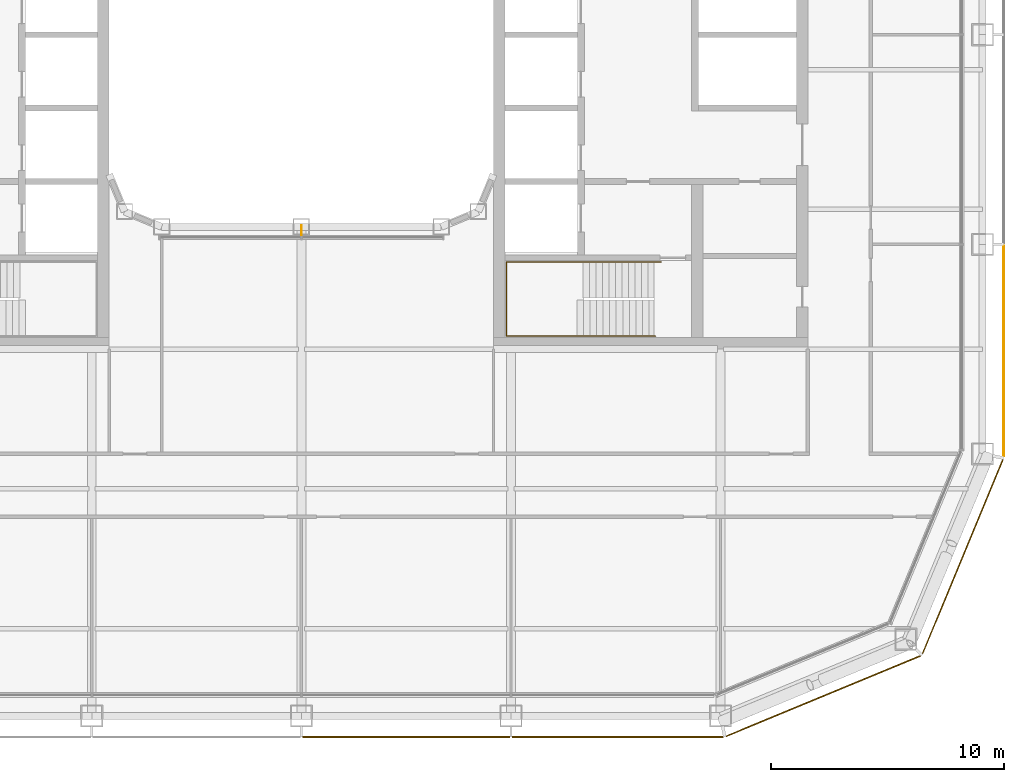
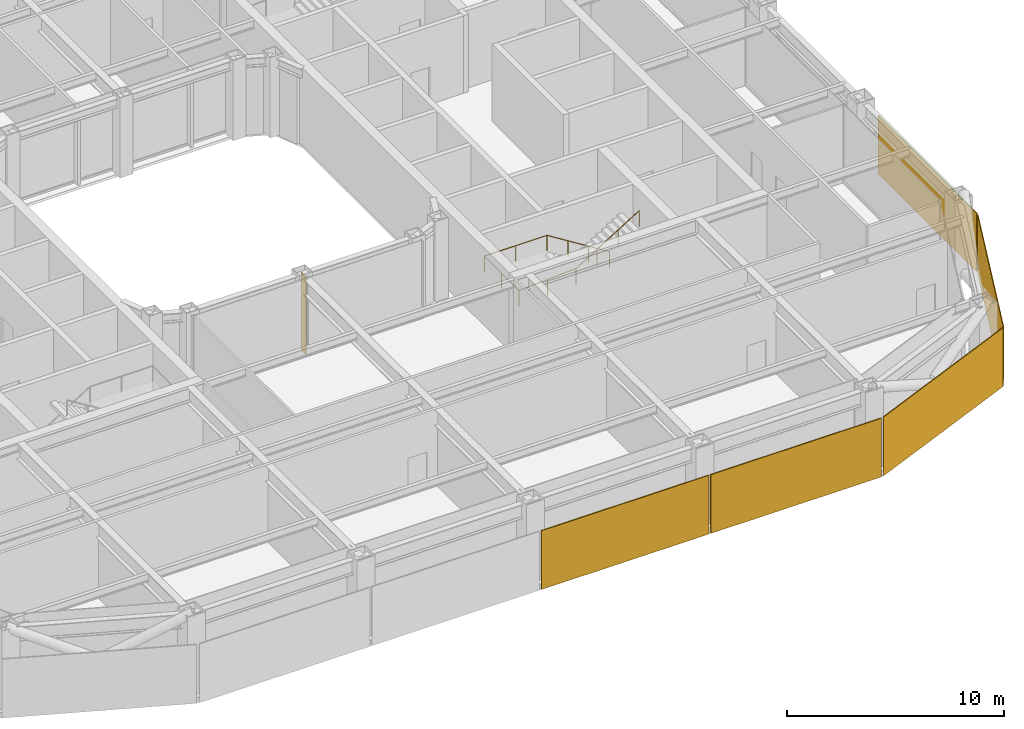
# One storey, part 18 of 21: 5 coverings, 1 railing, 1 shading device.
"""IFC4 building model written with IfcOpenShell, lengths in metres."""

from ifc_helpers import new_model, si_unit, direction, frame, origin, origin_2d, place, context, subcontext, project, spatial, rectangle, circle, extrude, material, layer, layer_set, type_object, element, save


model = new_model("IFC4")

# Units and contexts
model_context = context("Model", 3, precision=1e-05, world=origin(), true_north=direction((0.0, 1.0)))
body_context = subcontext(model_context, "Body", "Model", "MODEL_VIEW")
ifc_project = project(units=[si_unit("LENGTHUNIT", "METRE"), si_unit("AREAUNIT", "SQUARE_METRE"), si_unit("VOLUMEUNIT", "CUBIC_METRE"), si_unit("PLANEANGLEUNIT", "RADIAN"), si_unit("MASSUNIT", "GRAM", prefix="KILO")], contexts=[model_context])

# Site, building, storey
site_placement = place(None, origin())
site = spatial("IfcSite", under=ifc_project, at=site_placement, CompositionType="ELEMENT")
building_placement = place(site_placement, origin())
building = spatial("IfcBuilding", under=site, at=building_placement, Name="Siwar Civic Tower", CompositionType="ELEMENT")
storey_placement = place(building_placement, frame((0.0, 0.0, 122.699951171875)))
storey = spatial("IfcBuildingStorey", under=building, at=storey_placement, Name="L26", CompositionType="ELEMENT", Elevation=122.699951171875)

# Railing
ifc_material_1 = material(Name="Stainless steel", Category="steel")
railing_type = type_object("IfcRailingType", Name="CORE-STAIR-HANDRAIL", PredefinedType="HANDRAIL", material=ifc_material_1)
railing_placement = place(storey_placement, frame((15.449951171875, -9.758056640625, 0.173095703125)))
element("IfcRailing", 1, at=railing_placement, inside=storey, type_object=railing_type, Name="Stair handrail ST4", PredefinedType="HANDRAIL", context=body_context, shape_type="SweptSolid", body=[
    extrude(circle(Radius=0.02001953125, at=origin_2d()), frame((0.0, 0.0, 0.8798828125), z_axis=(-0.847063342986, 0.0, 0.531491950051), x_axis=(0.0, -1.0, 0.0)), (0.0, 0.0, 1.0), 3.90771484375),
    extrude(circle(Radius=0.02001953125, at=origin_2d()), frame((-3.31005859375, 0.0, 2.956787109375), z_axis=(-1.0, 0.0, 0.0), x_axis=(0.0, -1.0, 0.0)), (0.0, 0.0, 1.0), 3.331787109375),
    extrude(circle(Radius=0.02001953125, at=origin_2d()), frame((-6.641845703125, 0.0, 2.956787109375), z_axis=(0.0, -1.0, 0.0), x_axis=(1.0, 0.0, 0.0)), (0.0, 0.0, 1.0), 3.183837890625),
    extrude(circle(Radius=0.02001953125, at=origin_2d()), frame((-6.641845703125, -3.183837890625, 2.956787109375), z_axis=(0.99837434197, 0.0, 0.056997134106), x_axis=(0.0, 1.0, 0.0)), (0.0, 0.0, 1.0), 3.036865234375),
    extrude(circle(Radius=0.02001953125, at=origin_2d()), frame((-3.60986328125, -3.183837890625, 3.1298828125), z_axis=(0.850606129759, 0.0, 0.525803396734), x_axis=(0.0, 1.0, 0.0)), (0.0, 0.0, 1.0), 3.949951171875),
    extrude(circle(Radius=0.02001953125, at=origin_2d()), origin(), (0.0, 0.0, 1.0), 0.85986328125),
    extrude(circle(Radius=0.02001953125, at=origin_2d()), frame((-1.103271484375, 0.0, 0.6923828125)), (0.0, 0.0, 1.0), 0.85986328125),
    extrude(circle(Radius=0.02001953125, at=origin_2d()), frame((-2.206787109375, 0.0, 1.384521484375)), (0.0, 0.0, 1.0), 0.85986328125),
    extrude(circle(Radius=0.02001953125, at=origin_2d()), frame((-3.31005859375, 0.0, 2.076904296875)), (0.0, 0.0, 1.0), 0.85986328125),
    extrude(circle(Radius=0.02001953125, at=origin_2d()), frame((-4.97607421875, 0.0, 2.076904296875)), (0.0, 0.0, 1.0), 0.85986328125),
    extrude(circle(Radius=0.02001953125, at=origin_2d()), frame((-6.641845703125, 0.0, 2.076904296875)), (0.0, 0.0, 1.0), 0.85986328125),
    extrude(circle(Radius=0.02001953125, at=origin_2d()), frame((-6.641845703125, -1.591796875, 2.076904296875)), (0.0, 0.0, 1.0), 0.85986328125),
    extrude(circle(Radius=0.02001953125, at=origin_2d()), frame((-6.641845703125, -3.183837890625, 2.076904296875)), (0.0, 0.0, 1.0), 0.85986328125),
    extrude(circle(Radius=0.02001953125, at=origin_2d()), frame((-5.1259765625, -3.183837890625, 2.16357421875)), (0.0, 0.0, 1.0), 0.85986328125),
    extrude(circle(Radius=0.02001953125, at=origin_2d()), frame((-3.60986328125, -3.183837890625, 2.25)), (0.0, 0.0, 1.0), 0.85986328125),
    extrude(circle(Radius=0.02001953125, at=origin_2d()), frame((-2.489990234375, -3.183837890625, 2.9423828125)), (0.0, 0.0, 1.0), 0.85986328125),
    extrude(circle(Radius=0.02001953125, at=origin_2d()), frame((-1.369873046875, -3.183837890625, 3.634521484375)), (0.0, 0.0, 1.0), 0.85986328125),
    extrude(circle(Radius=0.02001953125, at=origin_2d()), frame((-0.25, -3.183837890625, 4.326904296875)), (0.0, 0.0, 1.0), 0.85986328125),
])

# Shading device
ifc_material_2 = material(Name="Aluminium 6063-T6", Category="aluminium")
ifc_layer_1 = layer(ifc_material_2, 0.02001953125)
ifc_layer_set_1 = layer_set([ifc_layer_1], Name="Aluminium 6063-T6")
shading_device_type = type_object("IfcShadingDeviceType", Name="ENV-FIN", PredefinedType="JALOUSIE", material=ifc_layer_set_1)
shading_device_placement = place(storey_placement, frame((0.0, -8.39501953125, 0.0), z_axis=(0.0, 0.0, 1.0), x_axis=(1.0, 0.0, 0.0)))
element("IfcShadingDevice", 2, at=shading_device_placement, inside=storey, type_object=shading_device_type, Name="SUNSHADE fin WS 1", PredefinedType="JALOUSIE", context=body_context, shape_type="SweptSolid", body=[
    extrude(rectangle(XDim=0.02001953125, YDim=0.449951171875, at=origin_2d()), origin(), (0.0, 0.0, 1.0), 4.35009765625),
])

# Coverings
ifc_material_3 = material(Name="Perforated aluminium cassette, pale metal", Category="aluminium")
ifc_layer_2 = layer(ifc_material_3, 0.0400390625)
ifc_layer_set_2 = layer_set([ifc_layer_2], Name="Perforated aluminium cassette, pale metal")
covering_type_1 = type_object("IfcCoveringType", Name="ENV-OUTER SKIN OS-1", PredefinedType="CLADDING", material=ifc_layer_set_2)
covering_1_placement = place(storey_placement, frame((30.14990234375, -13.57958984375, -0.14990234375), z_axis=(0.0, 0.0, 1.0), x_axis=(0.0, 1.0, 0.0)))
element("IfcCovering", 3, at=covering_1_placement, inside=storey, type_object=covering_type_1, Name="OUTER SKIN OS-1 E 1", PredefinedType="CLADDING", context=body_context, shape_type="SweptSolid", body=[
    extrude(rectangle(XDim=9.05908203125, YDim=0.0400390625, at=origin_2d()), origin(), (0.0, 0.0, 1.0), 3.300048828125),
])
ifc_material_4 = material(Name="Perforated aluminium cassette, pale metal", Category="aluminium")
ifc_layer_3 = layer(ifc_material_4, 0.044921875)
ifc_layer_set_3 = layer_set([ifc_layer_3], Name="Perforated aluminium cassette, pale metal")
covering_type_2 = type_object("IfcCoveringType", Name="ENV-OUTER SKIN OS-2", PredefinedType="CLADDING", material=ifc_layer_set_3)
covering_2_placement = place(storey_placement, frame((28.39697265625, -22.411376953125, -0.14990234375), z_axis=(0.0, 0.0, 1.0), x_axis=(0.382683432365, 0.923879532511, 0.0)))
element("IfcCovering", 4, at=covering_2_placement, inside=storey, type_object=covering_type_2, Name="OUTER SKIN OS-2 SE2 1", PredefinedType="CLADDING", context=body_context, shape_type="SweptSolid", body=[
    extrude(rectangle(XDim=9.022216796875, YDim=0.044921875, at=origin_2d()), origin(), (0.0, 0.0, 1.0), 3.300048828125),
])
ifc_material_5 = material(Name="Perforated aluminium cassette, pale metal", Category="aluminium")
ifc_layer_4 = layer(ifc_material_5, 0.050048828125)
ifc_layer_set_4 = layer_set([ifc_layer_4], Name="Perforated aluminium cassette, pale metal")
covering_type_3 = type_object("IfcCoveringType", Name="ENV-OUTER SKIN OS-3", PredefinedType="CLADDING", material=ifc_layer_set_4)
covering_3_placement = place(storey_placement, frame((22.411376953125, -28.39697265625, -0.14990234375), z_axis=(0.0, 0.0, 1.0), x_axis=(0.923879532511, 0.382683432365, 0.0)))
element("IfcCovering", 5, at=covering_3_placement, inside=storey, type_object=covering_type_3, Name="OUTER SKIN OS-3 SE1 1", PredefinedType="CLADDING", context=body_context, shape_type="SweptSolid", body=[
    extrude(rectangle(XDim=9.022216796875, YDim=0.050048828125, at=origin_2d()), origin(), (0.0, 0.0, 1.0), 3.300048828125),
])
ifc_material_6 = material(Name="Perforated aluminium cassette, pale metal", Category="aluminium")
ifc_layer_5 = layer(ifc_material_6, 0.054931640625)
ifc_layer_set_5 = layer_set([ifc_layer_5], Name="Perforated aluminium cassette, pale metal")
covering_type_4 = type_object("IfcCoveringType", Name="ENV-OUTER SKIN OS-4", PredefinedType="CLADDING", material=ifc_layer_set_5)
covering_4_placement = place(storey_placement, frame((4.5, -30.14990234375, -0.14990234375), z_axis=(0.0, 0.0, 1.0), x_axis=(1.0, 0.0, 0.0)))
element("IfcCovering", 6, at=covering_4_placement, inside=storey, type_object=covering_type_4, Name="OUTER SKIN OS-4 S 3", PredefinedType="CLADDING", context=body_context, shape_type="SweptSolid", body=[
    extrude(rectangle(XDim=8.89990234375, YDim=0.054931640625, at=origin_2d()), origin(), (0.0, 0.0, 1.0), 3.300048828125),
])
covering_5_placement = place(storey_placement, frame((13.57958984375, -30.14990234375, -0.14990234375), z_axis=(0.0, 0.0, 1.0), x_axis=(1.0, 0.0, 0.0)))
element("IfcCovering", 7, at=covering_5_placement, inside=storey, type_object=covering_type_4, Name="OUTER SKIN OS-4 S 4", PredefinedType="CLADDING", context=body_context, shape_type="SweptSolid", body=[
    extrude(rectangle(XDim=9.05908203125, YDim=0.054931640625, at=origin_2d()), origin(), (0.0, 0.0, 1.0), 3.300048828125),
])

save(model, "model.ifc")
